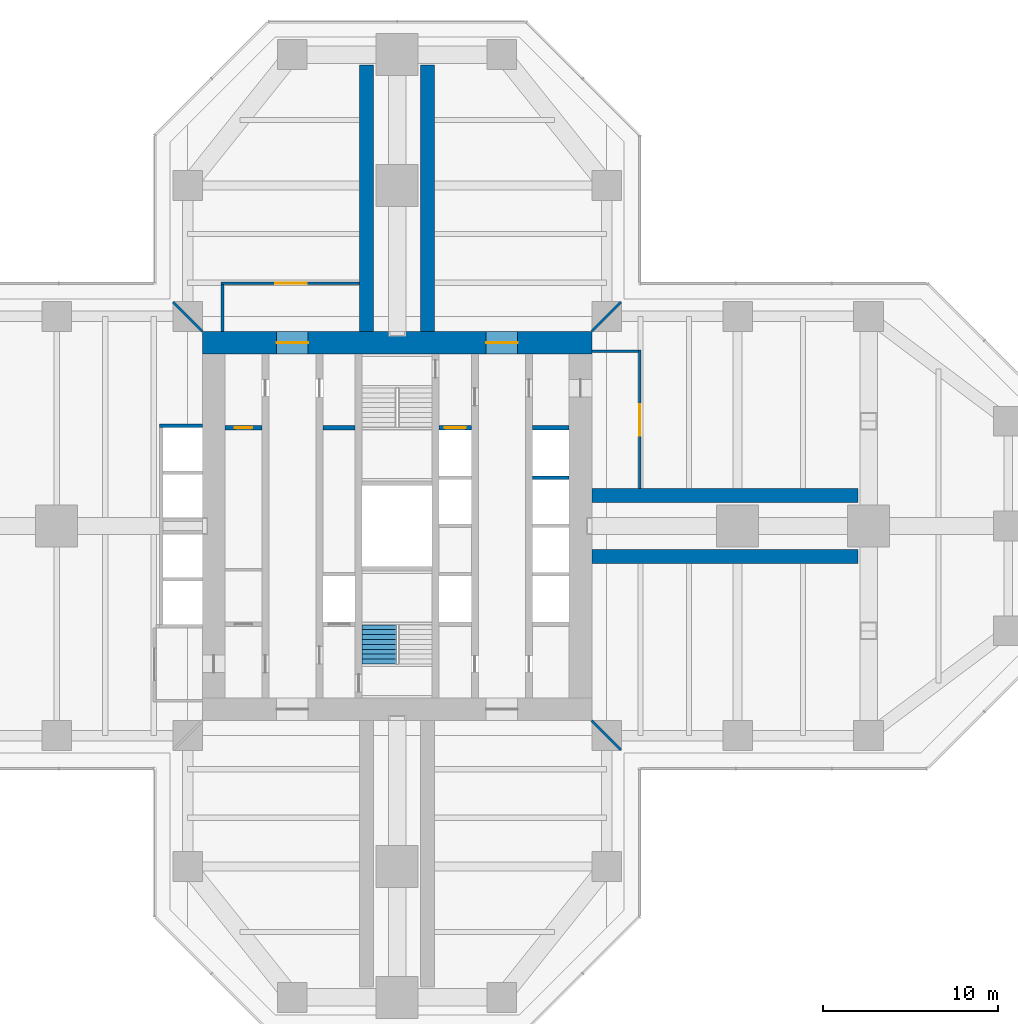
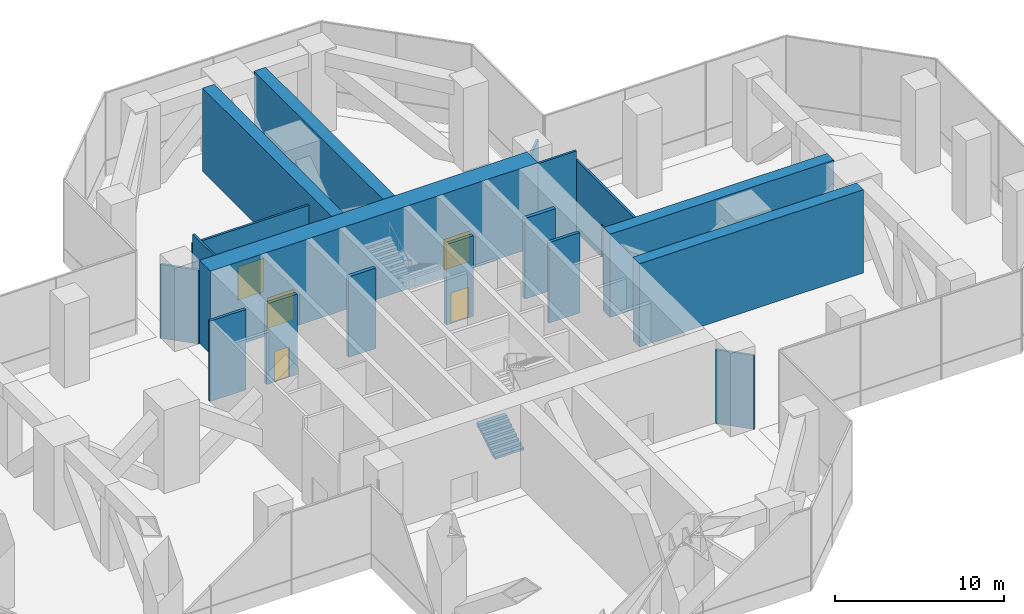
# One storey, part 15 of 19: 18 walls, 6 doors, 1 stair flight, 6 openings, 1 element without a shape of its own.
"""IFC4 building model written with IfcOpenShell, lengths in metres."""

from ifc_helpers import new_model, si_unit, direction, frame, frame_2d, origin, place, context, subcontext, project, spatial, polyline, rectangle, outline, extrude, material, layer, layer_set, type_object, element, fill, aggregate, save


model = new_model("IFC4")

# Units and contexts
model_context = context("Model", 3, precision=1e-05, world=origin(), true_north=direction((0.0, 1.0)))
body_context = subcontext(model_context, "Body", "Model", "MODEL_VIEW")
ifc_project = project(units=[si_unit("LENGTHUNIT", "METRE"), si_unit("AREAUNIT", "SQUARE_METRE"), si_unit("VOLUMEUNIT", "CUBIC_METRE"), si_unit("PLANEANGLEUNIT", "RADIAN"), si_unit("MASSUNIT", "GRAM", prefix="KILO")], contexts=[model_context])

# Site, building, storey
site_placement = place(None, origin())
site = spatial("IfcSite", under=ifc_project, at=site_placement, CompositionType="ELEMENT")
building_placement = place(site_placement, origin())
building = spatial("IfcBuilding", under=site, at=building_placement, Name="Mizan Broadcast Tower", CompositionType="ELEMENT")
storey_placement = place(building_placement, frame((0.0, 0.0, 198.89990234375)))
storey = spatial("IfcBuildingStorey", under=building, at=storey_placement, Name="L46", CompositionType="ELEMENT", Elevation=198.89990234375)

# Wall, openings, doors
ifc_material_1 = material(Name="Concrete C70/85", Category="concrete")
ifc_layer_1 = layer(ifc_material_1, 1.300048828125)
ifc_layer_set_1 = layer_set([ifc_layer_1], Name="Concrete C70/85")
wall_type_1 = type_object("IfcWallType", Name="CORE WALL 1300", PredefinedType="SHEAR", material=ifc_layer_set_1)
wall_1_placement = place(storey_placement, frame((-11.14990234375, 10.5, 0.0), z_axis=(0.0, 0.0, 1.0), x_axis=(1.0, 0.0, 0.0)))
wall_1 = element("IfcWall", 1, at=wall_1_placement, inside=storey, type_object=wall_type_1, Name="Core wall N L46", PredefinedType="SHEAR", context=body_context, shape_type="SweptSolid", body=[
    extrude(rectangle(XDim=22.2998046875, YDim=1.300048828125, at=frame_2d((11.14990234375, 0.0))), origin(), (0.0, 0.0, 1.0), 6.0),
])
opening_1_placement = place(wall_1_placement, frame((4.25, 0.0, 0.0)))
opening_1 = element("IfcOpeningElement", 2, at=opening_1_placement, cuts=wall_1, Name="Opening D18F", PredefinedType="OPENING", context=body_context, shape_type="SweptSolid", body=[
    extrude(rectangle(XDim=1.800048828125, YDim=2.199951171875, at=frame_2d((0.89990234375, 1.10009765625))), frame((0.0, 0.659912109375, 0.0), z_axis=(0.0, -1.0, 0.0), x_axis=(1.0, 0.0, 0.0)), (0.0, 0.0, 1.0), 1.320068359375),
])
opening_2_placement = place(wall_1_placement, frame((16.25, 0.0, 0.0)))
opening_2 = element("IfcOpeningElement", 3, at=opening_2_placement, cuts=wall_1, Name="Opening D18F", PredefinedType="OPENING", context=body_context, shape_type="SweptSolid", body=[
    extrude(rectangle(XDim=1.800048828125, YDim=2.199951171875, at=frame_2d((0.89990234375, 1.10009765625))), frame((0.0, 0.659912109375, 0.0), z_axis=(0.0, -1.0, 0.0), x_axis=(1.0, 0.0, 0.0)), (0.0, 0.0, 1.0), 1.320068359375),
])
ifc_material_2 = material(Name="Steel door leaf in steel frame", Category="steel")
door_type_1 = type_object("IfcDoorType", Name="LOBBY DOUBLE DOOR 1800 FD90", OperationType="DOUBLE_DOOR_DOUBLE_SWING", PredefinedType="DOOR", material=ifc_material_2)
door_1_placement = place(opening_1_placement, origin())
door_1 = element("IfcDoor", 4, at=door_1_placement, inside=storey, type_object=door_type_1, Name="West lift lobby north door", OperationType="DOUBLE_DOOR_DOUBLE_SWING", OverallHeight=2.199951171875, OverallWidth=1.800048828125, PredefinedType="DOOR", context=body_context, shape_type="SweptSolid", body=[
    extrude(rectangle(XDim=1.800048828125, YDim=2.199951171875, at=frame_2d((0.89990234375, 1.10009765625))), frame((0.0, 0.02490234375, 0.0), z_axis=(0.0, -1.0, 0.0), x_axis=(1.0, 0.0, 0.0)), (0.0, 0.0, 1.0), 0.050048828125),
])
fill(opening_1, door_1)
door_2_placement = place(opening_2_placement, origin())
door_2 = element("IfcDoor", 5, at=door_2_placement, inside=storey, type_object=door_type_1, Name="East lift lobby north door", OperationType="DOUBLE_DOOR_DOUBLE_SWING", OverallHeight=2.199951171875, OverallWidth=1.800048828125, PredefinedType="DOOR", context=body_context, shape_type="SweptSolid", body=[
    extrude(rectangle(XDim=1.800048828125, YDim=2.199951171875, at=frame_2d((0.89990234375, 1.10009765625))), frame((0.0, 0.02490234375, 0.0), z_axis=(0.0, -1.0, 0.0), x_axis=(1.0, 0.0, 0.0)), (0.0, 0.0, 1.0), 0.050048828125),
])
fill(opening_2, door_2)

# Walls
ifc_material_3 = material(Name="Concrete blockwork", Category="masonry")
ifc_layer_2 = layer(ifc_material_3, 0.199951171875)
ifc_layer_set_2 = layer_set([ifc_layer_2], Name="Concrete blockwork")
wall_type_2 = type_object("IfcWallType", Name="LIFT SHAFT WALL 200", PredefinedType="SOLIDWALL", material=ifc_layer_set_2)
wall_2_placement = place(storey_placement, frame((7.75, 2.75, 0.0), z_axis=(0.0, 0.0, 1.0), x_axis=(1.0, 0.0, 0.0)))
element("IfcWall", 6, at=wall_2_placement, inside=storey, type_object=wall_type_2, Name="Lift shaft wall CORE/SE1-3", PredefinedType="SOLIDWALL", context=body_context, shape_type="SweptSolid", body=[
    extrude(rectangle(XDim=2.10009765625, YDim=0.199951171875, at=frame_2d((1.050048828125, 0.0))), origin(), (0.0, 0.0, 1.0), 5.800048828125),
])
wall_3_placement = place(storey_placement, frame((-11.14990234375, 5.75, 0.0), z_axis=(0.0, 0.0, 1.0), x_axis=(-1.0, 0.0, 0.0)))
element("IfcWall", 7, at=wall_3_placement, inside=storey, type_object=wall_type_2, Name="Lift shaft wall LC/S1", PredefinedType="SOLIDWALL", context=body_context, shape_type="SweptSolid", body=[
    extrude(rectangle(XDim=2.4501953125, YDim=0.199951171875, at=frame_2d((1.22509765625, 0.0))), origin(), (0.0, 0.0, 1.0), 5.800048828125),
])

# Wall, opening, door
ifc_material_4 = material(Name="Concrete blockwork", Category="masonry")
ifc_layer_3 = layer(ifc_material_4, 0.25)
ifc_layer_set_3 = layer_set([ifc_layer_3], Name="Concrete blockwork")
wall_type_3 = type_object("IfcWallType", Name="LOBBY ENCLOSURE WALL 250", PredefinedType="SOLIDWALL", material=ifc_layer_set_3)
wall_4_placement = place(storey_placement, frame((-9.85009765625, 5.625, 0.0), z_axis=(0.0, 0.0, 1.0), x_axis=(1.0, 0.0, 0.0)))
wall_4 = element("IfcWall", 8, at=wall_4_placement, inside=storey, type_object=wall_type_3, Name="Lobby enclosure wall CORE/BW1N", PredefinedType="SOLIDWALL", context=body_context, shape_type="SweptSolid", body=[
    extrude(rectangle(XDim=2.10009765625, YDim=0.25, at=frame_2d((1.050048828125, 0.0))), origin(), (0.0, 0.0, 1.0), 5.800048828125),
])
opening_3_placement = place(wall_4_placement, frame((0.550048828125, 0.0, 0.0)))
opening_3 = element("IfcOpeningElement", 9, at=opening_3_placement, cuts=wall_4, Name="Opening D10F", PredefinedType="OPENING", context=body_context, shape_type="SweptSolid", body=[
    extrude(rectangle(XDim=1.0, YDim=2.199951171875, at=frame_2d((0.5, 1.10009765625))), frame((0.0, 0.135009765625, 0.0), z_axis=(0.0, -1.0, 0.0), x_axis=(1.0, 0.0, 0.0)), (0.0, 0.0, 1.0), 0.27001953125),
])
ifc_material_5 = material(Name="Steel door leaf in steel frame", Category="steel")
door_type_2 = type_object("IfcDoorType", Name="FIRE DOOR 1000 FD90", OperationType="SINGLE_SWING_LEFT", PredefinedType="DOOR", material=ifc_material_5)
door_3_placement = place(opening_3_placement, origin())
door_3 = element("IfcDoor", 10, at=door_3_placement, inside=storey, type_object=door_type_2, Name="Plant spares store door", OperationType="SINGLE_SWING_RIGHT", OverallHeight=2.199951171875, OverallWidth=1.0, PredefinedType="DOOR", context=body_context, shape_type="SweptSolid", body=[
    extrude(rectangle(XDim=1.0, YDim=2.199951171875, at=frame_2d((0.5, 1.10009765625))), frame((0.0, 0.02490234375, 0.0), z_axis=(0.0, -1.0, 0.0), x_axis=(1.0, 0.0, 0.0)), (0.0, 0.0, 1.0), 0.050048828125),
])
fill(opening_3, door_3)

# Wall
wall_5_placement = place(storey_placement, frame((-4.25, 5.625, 0.0), z_axis=(0.0, 0.0, 1.0), x_axis=(1.0, 0.0, 0.0)))
element("IfcWall", 11, at=wall_5_placement, inside=storey, type_object=wall_type_3, Name="Lobby enclosure wall CORE/BW2N", PredefinedType="SOLIDWALL", context=body_context, shape_type="SweptSolid", body=[
    extrude(rectangle(XDim=1.85009765625, YDim=0.25, at=frame_2d((0.925048828125, 0.0))), origin(), (0.0, 0.0, 1.0), 5.800048828125),
])

# Wall, opening, door
wall_6_placement = place(storey_placement, frame((2.39990234375, 5.625, 0.0), z_axis=(0.0, 0.0, 1.0), x_axis=(1.0, 0.0, 0.0)))
wall_6 = element("IfcWall", 12, at=wall_6_placement, inside=storey, type_object=wall_type_3, Name="Lobby enclosure wall CORE/BE2N", PredefinedType="SOLIDWALL", context=body_context, shape_type="SweptSolid", body=[
    extrude(rectangle(XDim=1.85009765625, YDim=0.25, at=frame_2d((0.925048828125, 0.0))), origin(), (0.0, 0.0, 1.0), 5.800048828125),
])
opening_4_placement = place(wall_6_placement, frame((0.324951171875, 0.0, 0.0)))
opening_4 = element("IfcOpeningElement", 13, at=opening_4_placement, cuts=wall_6, Name="Opening LDF", PredefinedType="OPENING", context=body_context, shape_type="SweptSolid", body=[
    extrude(rectangle(XDim=1.199951171875, YDim=2.199951171875, at=frame_2d((0.60009765625, 1.10009765625))), frame((0.0, 0.135009765625, 0.0), z_axis=(0.0, -1.0, 0.0), x_axis=(1.0, 0.0, 0.0)), (0.0, 0.0, 1.0), 0.27001953125),
])
ifc_material_6 = material(Name="Steel door leaf in steel frame", Category="steel")
door_type_3 = type_object("IfcDoorType", Name="FIREFIGHTING LIFT LANDING DOOR 1200", OperationType="SLIDING_TO_LEFT", PredefinedType="DOOR", material=ifc_material_6)
door_4_placement = place(opening_4_placement, origin())
door_4 = element("IfcDoor", 14, at=door_4_placement, inside=storey, type_object=door_type_3, Name="Landing door FF2", OperationType="SLIDING_TO_LEFT", OverallHeight=2.199951171875, OverallWidth=1.199951171875, PredefinedType="DOOR", context=body_context, shape_type="SweptSolid", body=[
    extrude(rectangle(XDim=1.199951171875, YDim=2.199951171875, at=frame_2d((0.60009765625, 1.10009765625))), frame((0.0, 0.02490234375, 0.0), z_axis=(0.0, -1.0, 0.0), x_axis=(1.0, 0.0, 0.0)), (0.0, 0.0, 1.0), 0.050048828125),
])
fill(opening_4, door_4)

# Walls
wall_7_placement = place(storey_placement, frame((7.75, 5.625, 0.0), z_axis=(0.0, 0.0, 1.0), x_axis=(1.0, 0.0, 0.0)))
element("IfcWall", 15, at=wall_7_placement, inside=storey, type_object=wall_type_3, Name="Lobby enclosure wall CORE/BE1N", PredefinedType="SOLIDWALL", context=body_context, shape_type="SweptSolid", body=[
    extrude(rectangle(XDim=2.10009765625, YDim=0.25, at=frame_2d((1.050048828125, 0.0))), origin(), (0.0, 0.0, 1.0), 5.800048828125),
])
ifc_material_7 = material(Name="Gypsum board on steel studs", Category="steel")
ifc_layer_4 = layer(ifc_material_7, 0.14990234375)
ifc_layer_set_4 = layer_set([ifc_layer_4], Name="Gypsum board on steel studs")
wall_type_4 = type_object("IfcWallType", Name="PARTITION 150", PredefinedType="PARTITIONING", material=ifc_layer_set_4)
for number, where, z_axis, x_axis, name in (
    (16, (11.14990234375, 11.14990234375, 0.0), (0.0, 0.0, 1.0), (0.707106781187, 0.707106781187, 0.0), "Partition PT/DGEN"),
    (17, (-11.14990234375, 11.14990234375, 0.0), (0.0, 0.0, 1.0), (-0.707106781187, 0.707106781187, 0.0), "Partition PT/DGWN"),
    (18, (11.14990234375, -11.14990234375, 0.0), (0.0, 0.0, 1.0), (0.707106781187, -0.707106781187, 0.0), "Partition PT/DGES"),
):
    element("IfcWall", number, at=place(storey_placement, frame(where, z_axis=z_axis, x_axis=x_axis)), inside=storey, type_object=wall_type_4, Name=name, PredefinedType="PARTITIONING", context=body_context, shape_type="SweptSolid", body=[
        extrude(rectangle(XDim=2.362060546875, YDim=0.14990234375, at=frame_2d((1.18115234375, 0.0))), origin(), (0.0, 0.0, 1.0), 5.320068359375),
    ])

# Wall, opening, door
ifc_material_8 = material(Name="Concrete blockwork", Category="masonry")
ifc_layer_5 = layer(ifc_material_8, 0.14990234375)
ifc_layer_set_5 = layer_set([ifc_layer_5], Name="Concrete blockwork")
wall_type_5 = type_object("IfcWallType", Name="PLANT ROOM ENCLOSURE WALL 150", PredefinedType="SOLIDWALL", material=ifc_layer_set_5)
wall_8_placement = place(storey_placement, frame((13.89990234375, 2.14990234375, 0.0), z_axis=(0.0, 0.0, 1.0), x_axis=(0.0, 1.0, 0.0)))
wall_8 = element("IfcWall", 19, at=wall_8_placement, inside=storey, type_object=wall_type_5, Name="Plant room wall PT/ELU", PredefinedType="SOLIDWALL", context=body_context, shape_type="SweptSolid", body=[
    extrude(rectangle(XDim=7.925048828125, YDim=0.14990234375, at=frame_2d((3.96240234375, 0.0))), origin(), (0.0, 0.0, 1.0), 5.18017578125),
])
opening_5_placement = place(wall_8_placement, frame((3.02490234375, 0.0, 0.0)))
opening_5 = element("IfcOpeningElement", 20, at=opening_5_placement, cuts=wall_8, Name="Opening D18P", PredefinedType="OPENING", context=body_context, shape_type="SweptSolid", body=[
    extrude(rectangle(XDim=1.800048828125, YDim=2.39990234375, at=frame_2d((0.89990234375, 1.199951171875))), frame((0.0, 0.0849609375, 0.0), z_axis=(0.0, -1.0, 0.0), x_axis=(1.0, 0.0, 0.0)), (0.0, 0.0, 1.0), 0.169921875),
])
ifc_material_9 = material(Name="Steel door leaf in steel frame", Category="steel")
door_type_4 = type_object("IfcDoorType", Name="PLANT ROOM DOUBLE DOOR 1800x2400 FD90", OperationType="DOUBLE_DOOR_DOUBLE_SWING", PredefinedType="DOOR", material=ifc_material_9)
door_5_placement = place(opening_5_placement, origin())
door_5 = element("IfcDoor", 21, at=door_5_placement, inside=storey, type_object=door_type_4, Name="Mechanical plant room door", OperationType="DOUBLE_DOOR_DOUBLE_SWING", OverallHeight=2.39990234375, OverallWidth=1.800048828125, PredefinedType="DOOR", context=body_context, shape_type="SweptSolid", body=[
    extrude(rectangle(XDim=1.800048828125, YDim=2.39990234375, at=frame_2d((0.89990234375, 1.199951171875))), frame((0.0, 0.02490234375, 0.0), z_axis=(0.0, -1.0, 0.0), x_axis=(1.0, 0.0, 0.0)), (0.0, 0.0, 1.0), 0.050048828125),
])
fill(opening_5, door_5)

# Wall
wall_9_placement = place(storey_placement, frame((11.14990234375, 10.0, 0.0), z_axis=(0.0, 0.0, 1.0), x_axis=(1.0, 0.0, 0.0)))
element("IfcWall", 22, at=wall_9_placement, inside=storey, type_object=wall_type_5, Name="Plant room wall PT/ELV", PredefinedType="SOLIDWALL", context=body_context, shape_type="SweptSolid", body=[
    extrude(rectangle(XDim=2.675048828125, YDim=0.14990234375, at=frame_2d((1.33740234375, 0.0))), origin(), (0.0, 0.0, 1.0), 5.8701171875),
])

# Wall, opening, door
wall_10_placement = place(storey_placement, frame((-2.14990234375, 13.89990234375, 0.0), z_axis=(0.0, 0.0, 1.0), x_axis=(-1.0, 0.0, 0.0)))
wall_10 = element("IfcWall", 23, at=wall_10_placement, inside=storey, type_object=wall_type_5, Name="Plant room wall PT/NLU", PredefinedType="SOLIDWALL", context=body_context, shape_type="SweptSolid", body=[
    extrude(rectangle(XDim=7.925048828125, YDim=0.14990234375, at=frame_2d((3.96240234375, 0.0))), origin(), (0.0, 0.0, 1.0), 5.18017578125),
])
opening_6_placement = place(wall_10_placement, frame((3.02490234375, 0.0, 0.0)))
opening_6 = element("IfcOpeningElement", 24, at=opening_6_placement, cuts=wall_10, Name="Opening D18P", PredefinedType="OPENING", context=body_context, shape_type="SweptSolid", body=[
    extrude(rectangle(XDim=1.800048828125, YDim=2.39990234375, at=frame_2d((0.89990234375, 1.199951171875))), frame((0.0, 0.0849609375, 0.0), z_axis=(0.0, -1.0, 0.0), x_axis=(1.0, 0.0, 0.0)), (0.0, 0.0, 1.0), 0.169921875),
])
door_6_placement = place(opening_6_placement, origin())
door_6 = element("IfcDoor", 25, at=door_6_placement, inside=storey, type_object=door_type_4, Name="Water tank room door", OperationType="DOUBLE_DOOR_DOUBLE_SWING", OverallHeight=2.39990234375, OverallWidth=1.800048828125, PredefinedType="DOOR", context=body_context, shape_type="SweptSolid", body=[
    extrude(rectangle(XDim=1.800048828125, YDim=2.39990234375, at=frame_2d((0.89990234375, 1.199951171875))), frame((0.0, 0.02490234375, 0.0), z_axis=(0.0, -1.0, 0.0), x_axis=(1.0, 0.0, 0.0)), (0.0, 0.0, 1.0), 0.050048828125),
])
fill(opening_6, door_6)

# Walls
wall_11_placement = place(storey_placement, frame((-10.0, 11.14990234375, 0.0), z_axis=(0.0, 0.0, 1.0), x_axis=(0.0, 1.0, 0.0)))
element("IfcWall", 26, at=wall_11_placement, inside=storey, type_object=wall_type_5, Name="Plant room wall PT/NLV", PredefinedType="SOLIDWALL", context=body_context, shape_type="SweptSolid", body=[
    extrude(rectangle(XDim=2.675048828125, YDim=0.14990234375, at=frame_2d((1.33740234375, 0.0))), origin(), (0.0, 0.0, 1.0), 5.8701171875),
])
ifc_material_10 = material(Name="Concrete C70/85", Category="concrete")
ifc_layer_6 = layer(ifc_material_10, 0.800048828125)
ifc_layer_set_6 = layer_set([ifc_layer_6], Name="Concrete C70/85")
wall_type_6 = type_object("IfcWallType", Name="SPINE WALL 800", PredefinedType="SHEAR", material=ifc_layer_set_6)
for number, where, z_axis, x_axis, name in (
    (27, (11.14990234375, -1.75, 0.0), (0.0, 0.0, 1.0), (1.0, 0.0, 0.0), "Spine wall ER L46"),
    (28, (11.14990234375, 1.75, 0.0), (0.0, 0.0, 1.0), (1.0, 0.0, 0.0), "Spine wall EL L46"),
    (29, (1.75, 11.14990234375, 0.0), (0.0, 0.0, 1.0), (0.0, 1.0, 0.0), "Spine wall NR L46"),
    (30, (-1.75, 11.14990234375, 0.0), (0.0, 0.0, 1.0), (0.0, 1.0, 0.0), "Spine wall NL L46"),
):
    element("IfcWall", number, at=place(storey_placement, frame(where, z_axis=z_axis, x_axis=x_axis)), inside=storey, type_object=wall_type_6, Name=name, PredefinedType="SHEAR", context=body_context, shape_type="SweptSolid", body=[
        extrude(rectangle(XDim=15.25, YDim=0.800048828125, at=frame_2d((7.625, 0.0))), origin(), (0.0, 0.0, 1.0), 6.0),
    ])

# Stair, stair flight
ifc_material_11 = material(Name="Concrete C40/50", Category="concrete")
stair_type = type_object("IfcStairType", Name="EXIT STAIR", PredefinedType="HALF_TURN_STAIR", material=ifc_material_11)
stair_placement = place(storey_placement, origin())
stair = element("IfcStair", 31, at=stair_placement, inside=storey, type_object=stair_type, Name="Stair A L46", PredefinedType="HALF_TURN_STAIR")
ifc_material_12 = material(Name="Concrete C40/50", Category="concrete")
stair_flight_type = type_object("IfcStairFlightType", Name="EXIT STAIR FLIGHT", PredefinedType="STRAIGHT", material=ifc_material_12)
stair_flight_placement = place(storey_placement, frame((-1.02490234375, -7.89990234375, 0.0), z_axis=(0.0, 0.0, 1.0), x_axis=(0.0, 1.0, 0.0)))
stair_flight = element("IfcStairFlight", 32, at=stair_flight_placement, type_object=stair_flight_type, Name="A flight 1", NumberOfRisers=9, NumberOfTreads=8, PredefinedType="STRAIGHT", RiserHeight=0.166666667, TreadLength=0.28, context=body_context, shape_type="SweptSolid", body=[
    extrude(outline(polyline([(0.0, 0.0), (0.0, 0.166748046875), (0.280029296875, 0.166748046875), (0.280029296875, 0.333251953125), (0.56005859375, 0.333251953125), (0.56005859375, 0.5), (0.840087890625, 0.5), (0.840087890625, 0.666748046875), (1.1201171875, 0.666748046875), (1.1201171875, 0.833251953125), (1.39990234375, 0.833251953125), (1.39990234375, 1.0), (1.679931640625, 1.0), (1.679931640625, 1.166748046875), (1.9599609375, 1.166748046875), (1.9599609375, 1.333251953125), (2.239990234375, 1.333251953125), (2.239990234375, 1.5), (2.239990234375, 1.158935546875), (0.29296875, 0.0), (0.0, 0.0)])), frame((0.0, 0.97509765625, 0.0), z_axis=(0.0, -1.0, 0.0), x_axis=(1.0, 0.0, 0.0)), (0.0, 0.0, 1.0), 0.4873046875),
    extrude(outline(polyline([(0.0, 0.0), (0.0, 0.166748046875), (0.280029296875, 0.166748046875), (0.280029296875, 0.333251953125), (0.56005859375, 0.333251953125), (0.56005859375, 0.5), (0.840087890625, 0.5), (0.840087890625, 0.666748046875), (1.1201171875, 0.666748046875), (1.1201171875, 0.833251953125), (1.39990234375, 0.833251953125), (1.39990234375, 1.0), (1.679931640625, 1.0), (1.679931640625, 1.166748046875), (1.9599609375, 1.166748046875), (1.9599609375, 1.333251953125), (2.239990234375, 1.333251953125), (2.239990234375, 1.5), (2.239990234375, 1.158935546875), (0.29296875, 0.0), (0.0, 0.0)])), frame((0.0, 0.4873046875, 0.0), z_axis=(0.0, -1.0, 0.0), x_axis=(1.0, 0.0, 0.0)), (0.0, 0.0, 1.0), 0.2431640625),
    extrude(outline(polyline([(0.0, 0.0), (0.0, 0.166748046875), (0.280029296875, 0.166748046875), (0.280029296875, 0.333251953125), (0.56005859375, 0.333251953125), (0.56005859375, 0.5), (0.840087890625, 0.5), (0.840087890625, 0.666748046875), (1.1201171875, 0.666748046875), (1.1201171875, 0.833251953125), (1.39990234375, 0.833251953125), (1.39990234375, 1.0), (1.679931640625, 1.0), (1.679931640625, 1.166748046875), (1.9599609375, 1.166748046875), (1.9599609375, 1.333251953125), (2.239990234375, 1.333251953125), (2.239990234375, 1.5), (2.239990234375, 1.158935546875), (0.29296875, 0.0), (0.0, 0.0)])), frame((0.0, 0.24365234375, 0.0), z_axis=(0.0, -1.0, 0.0), x_axis=(1.0, 0.0, 0.0)), (0.0, 0.0, 1.0), 0.121337890625),
    extrude(outline(polyline([(0.0, 0.0), (0.0, 0.166748046875), (0.280029296875, 0.166748046875), (0.280029296875, 0.333251953125), (0.56005859375, 0.333251953125), (0.56005859375, 0.5), (0.840087890625, 0.5), (0.840087890625, 0.666748046875), (1.1201171875, 0.666748046875), (1.1201171875, 0.833251953125), (1.39990234375, 0.833251953125), (1.39990234375, 1.0), (1.679931640625, 1.0), (1.679931640625, 1.166748046875), (1.9599609375, 1.166748046875), (1.9599609375, 1.333251953125), (2.239990234375, 1.333251953125), (2.239990234375, 1.5), (2.239990234375, 1.158935546875), (0.29296875, 0.0), (0.0, 0.0)])), frame((0.0, 0.121826171875, 0.0), z_axis=(0.0, -1.0, 0.0), x_axis=(1.0, 0.0, 0.0)), (0.0, 0.0, 1.0), 0.060546875),
    extrude(outline(polyline([(0.0, 0.0), (0.0, 0.166748046875), (0.280029296875, 0.166748046875), (0.280029296875, 0.333251953125), (0.56005859375, 0.333251953125), (0.56005859375, 0.5), (0.840087890625, 0.5), (0.840087890625, 0.666748046875), (1.1201171875, 0.666748046875), (1.1201171875, 0.833251953125), (1.39990234375, 0.833251953125), (1.39990234375, 1.0), (1.679931640625, 1.0), (1.679931640625, 1.166748046875), (1.9599609375, 1.166748046875), (1.9599609375, 1.333251953125), (2.239990234375, 1.333251953125), (2.239990234375, 1.5), (2.239990234375, 1.158935546875), (0.29296875, 0.0), (0.0, 0.0)])), frame((0.0, 0.060791015625, 0.0), z_axis=(0.0, -1.0, 0.0), x_axis=(1.0, 0.0, 0.0)), (0.0, 0.0, 1.0), 0.030029296875),
    extrude(outline(polyline([(0.0, 0.0), (0.0, 0.166748046875), (0.280029296875, 0.166748046875), (0.280029296875, 0.333251953125), (0.56005859375, 0.333251953125), (0.56005859375, 0.5), (0.840087890625, 0.5), (0.840087890625, 0.666748046875), (1.1201171875, 0.666748046875), (1.1201171875, 0.833251953125), (1.39990234375, 0.833251953125), (1.39990234375, 1.0), (1.679931640625, 1.0), (1.679931640625, 1.166748046875), (1.9599609375, 1.166748046875), (1.9599609375, 1.333251953125), (2.239990234375, 1.333251953125), (2.239990234375, 1.5), (2.239990234375, 1.158935546875), (0.29296875, 0.0), (0.0, 0.0)])), frame((0.0, 0.0302734375, 0.0), z_axis=(0.0, -1.0, 0.0), x_axis=(1.0, 0.0, 0.0)), (0.0, 0.0, 1.0), 0.060302734375),
    extrude(outline(polyline([(0.0, 0.0), (0.0, 0.166748046875), (0.280029296875, 0.166748046875), (0.280029296875, 0.333251953125), (0.56005859375, 0.333251953125), (0.56005859375, 0.5), (0.840087890625, 0.5), (0.840087890625, 0.666748046875), (1.1201171875, 0.666748046875), (1.1201171875, 0.833251953125), (1.39990234375, 0.833251953125), (1.39990234375, 1.0), (1.679931640625, 1.0), (1.679931640625, 1.166748046875), (1.9599609375, 1.166748046875), (1.9599609375, 1.333251953125), (2.239990234375, 1.333251953125), (2.239990234375, 1.5), (2.239990234375, 1.158935546875), (0.29296875, 0.0), (0.0, 0.0)])), frame((0.0, -0.030517578125, 0.0), z_axis=(0.0, -1.0, 0.0), x_axis=(1.0, 0.0, 0.0)), (0.0, 0.0, 1.0), 0.030029296875),
    extrude(outline(polyline([(0.0, 0.0), (0.0, 0.166748046875), (0.280029296875, 0.166748046875), (0.280029296875, 0.333251953125), (0.56005859375, 0.333251953125), (0.56005859375, 0.5), (0.840087890625, 0.5), (0.840087890625, 0.666748046875), (1.1201171875, 0.666748046875), (1.1201171875, 0.833251953125), (1.39990234375, 0.833251953125), (1.39990234375, 1.0), (1.679931640625, 1.0), (1.679931640625, 1.166748046875), (1.9599609375, 1.166748046875), (1.9599609375, 1.333251953125), (2.239990234375, 1.333251953125), (2.239990234375, 1.5), (2.239990234375, 1.158935546875), (0.29296875, 0.0), (0.0, 0.0)])), frame((0.0, -0.06103515625, 0.0), z_axis=(0.0, -1.0, 0.0), x_axis=(1.0, 0.0, 0.0)), (0.0, 0.0, 1.0), 0.060546875),
    extrude(outline(polyline([(0.0, 0.0), (0.0, 0.166748046875), (0.280029296875, 0.166748046875), (0.280029296875, 0.333251953125), (0.56005859375, 0.333251953125), (0.56005859375, 0.5), (0.840087890625, 0.5), (0.840087890625, 0.666748046875), (1.1201171875, 0.666748046875), (1.1201171875, 0.833251953125), (1.39990234375, 0.833251953125), (1.39990234375, 1.0), (1.679931640625, 1.0), (1.679931640625, 1.166748046875), (1.9599609375, 1.166748046875), (1.9599609375, 1.333251953125), (2.239990234375, 1.333251953125), (2.239990234375, 1.5), (2.239990234375, 1.158935546875), (0.29296875, 0.0), (0.0, 0.0)])), frame((0.0, -0.1220703125, 0.0), z_axis=(0.0, -1.0, 0.0), x_axis=(1.0, 0.0, 0.0)), (0.0, 0.0, 1.0), 0.121337890625),
    extrude(outline(polyline([(0.0, 0.0), (0.0, 0.166748046875), (0.280029296875, 0.166748046875), (0.280029296875, 0.333251953125), (0.56005859375, 0.333251953125), (0.56005859375, 0.5), (0.840087890625, 0.5), (0.840087890625, 0.666748046875), (1.1201171875, 0.666748046875), (1.1201171875, 0.833251953125), (1.39990234375, 0.833251953125), (1.39990234375, 1.0), (1.679931640625, 1.0), (1.679931640625, 1.166748046875), (1.9599609375, 1.166748046875), (1.9599609375, 1.333251953125), (2.239990234375, 1.333251953125), (2.239990234375, 1.5), (2.239990234375, 1.158935546875), (0.29296875, 0.0), (0.0, 0.0)])), frame((0.0, -0.243896484375, 0.0), z_axis=(0.0, -1.0, 0.0), x_axis=(1.0, 0.0, 0.0)), (0.0, 0.0, 1.0), 0.2431640625),
    extrude(outline(polyline([(0.0, 0.0), (0.0, 0.166748046875), (0.280029296875, 0.166748046875), (0.280029296875, 0.333251953125), (0.56005859375, 0.333251953125), (0.56005859375, 0.5), (0.840087890625, 0.5), (0.840087890625, 0.666748046875), (1.1201171875, 0.666748046875), (1.1201171875, 0.833251953125), (1.39990234375, 0.833251953125), (1.39990234375, 1.0), (1.679931640625, 1.0), (1.679931640625, 1.166748046875), (1.9599609375, 1.166748046875), (1.9599609375, 1.333251953125), (2.239990234375, 1.333251953125), (2.239990234375, 1.5), (2.239990234375, 1.158935546875), (0.29296875, 0.0), (0.0, 0.0)])), frame((0.0, -0.487548828125, 0.0), z_axis=(0.0, -1.0, 0.0), x_axis=(1.0, 0.0, 0.0)), (0.0, 0.0, 1.0), 0.4873046875),
])
aggregate(stair, [stair_flight])

save(model, "model.ifc")
